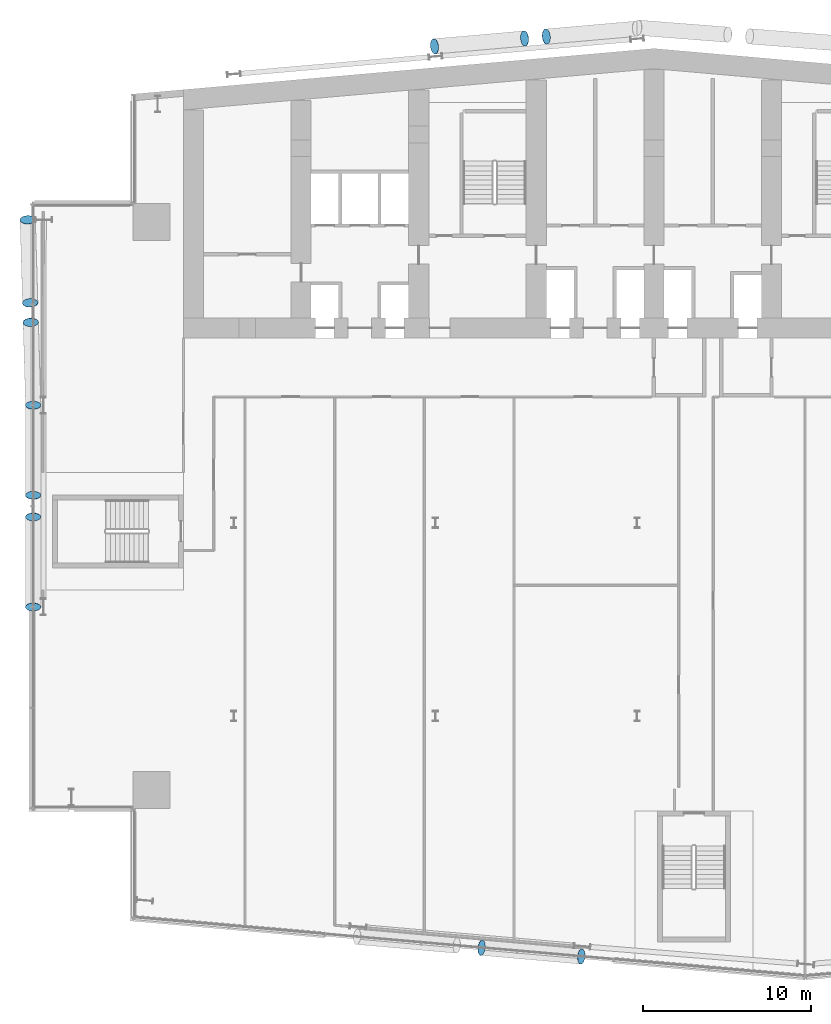
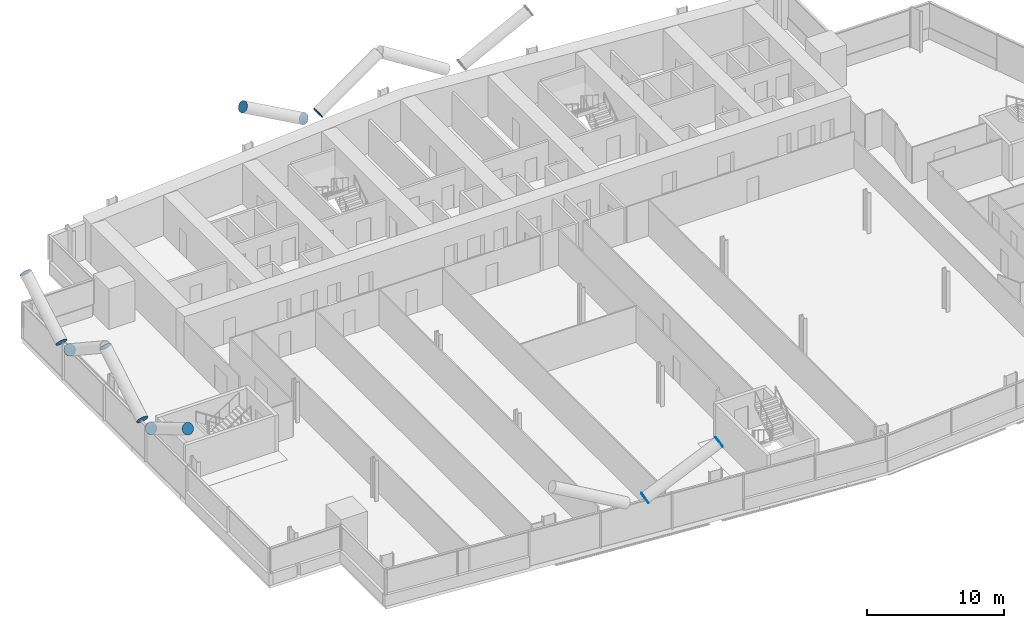
# One storey, part 19 of 25: 12 discrete accessories.
"""IFC4 building model written with IfcOpenShell, lengths in metres."""

from ifc_helpers import new_model, si_unit, direction, frame, origin, origin_2d, place, context, subcontext, project, spatial, circle, extrude, material, material_profile, profile_set, type_object, element, save


model = new_model("IFC4")

# Units and contexts
model_context = context("Model", 3, precision=1e-05, world=origin(), true_north=direction((0.0, 1.0)))
body_context = subcontext(model_context, "Body", "Model", "MODEL_VIEW")
ifc_project = project(units=[si_unit("LENGTHUNIT", "METRE"), si_unit("AREAUNIT", "SQUARE_METRE"), si_unit("VOLUMEUNIT", "CUBIC_METRE"), si_unit("PLANEANGLEUNIT", "RADIAN"), si_unit("MASSUNIT", "GRAM", prefix="KILO")], contexts=[model_context])

# Site, building, storey
site_placement = place(None, origin())
site = spatial("IfcSite", under=ifc_project, at=site_placement, CompositionType="ELEMENT")
building_placement = place(site_placement, origin())
building = spatial("IfcBuilding", under=site, at=building_placement, Name="Wharfspan Tower", CompositionType="ELEMENT")
storey_placement = place(building_placement, frame((0.0, 0.0, 70.300049)))
storey = spatial("IfcBuildingStorey", under=building, at=storey_placement, Name="L14", CompositionType="ELEMENT", Elevation=70.300049)

# Discrete accessories
ifc_material = material(Name="Steel S460NH", Category="steel")
ifc_material_profile = material_profile(ifc_material, circle(Radius=0.457031, at=origin_2d()))
ifc_profile_set = profile_set([ifc_material_profile], Name="Steel S460NH")
discrete_accessory_type = type_object("IfcDiscreteAccessoryType", Name="End plate CHS 914x40", PredefinedType="BRACKET", material=ifc_profile_set)
for number, where, z_axis, x_axis, name in (
    (1, (26.737549, -2.283936, 3.295654), (0.880146, -0.097794, 0.464521), (0.110432, 0.993888, 0.0), "End plate CHS 914x40"),
    (2, (32.671387, -2.803223, 6.5), (0.881993, -0.073499, 0.465496), (0.083046, 0.996545, -2e-06), "End plate CHS 914x40"),
):
    element("IfcDiscreteAccessory", number, at=place(storey_placement, frame(where, z_axis=z_axis, x_axis=x_axis)), inside=storey, type_object=discrete_accessory_type, Name=name, PredefinedType="BRACKET", context=body_context, shape_type="SweptSolid", body=[
        extrude(circle(Radius=0.457031, at=origin_2d()), origin(), (0.0, 0.0, 1.0), 0.01001),
    ])
discrete_accessory_1_placement = place(storey_placement, frame((0.054932, 23.358887, 3.284668), z_axis=(0.0, -0.863779, 0.503871), x_axis=(1.0, 0.0, 0.0)))
element("IfcDiscreteAccessory", 3, at=discrete_accessory_1_placement, inside=storey, type_object=discrete_accessory_type, Name="End plate CHS 914x40", PredefinedType="BRACKET", context=body_context, shape_type="SweptSolid", body=[
    extrude(circle(Radius=0.457031, at=origin_2d()), origin(), (0.0, 0.0, 1.0), 0.010254),
])
discrete_accessory_2_placement = place(storey_placement, frame((0.054932, 18.0, 6.5), z_axis=(0.0, -0.857493, 0.514496), x_axis=(1.0, 0.0, 0.0)))
element("IfcDiscreteAccessory", 4, at=discrete_accessory_2_placement, inside=storey, type_object=discrete_accessory_type, Name="End plate CHS 914x40", PredefinedType="BRACKET", context=body_context, shape_type="SweptSolid", body=[
    extrude(circle(Radius=0.457031, at=origin_2d()), origin(), (0.0, 0.0, 1.0), 0.01001),
])
discrete_accessory_3_placement = place(storey_placement, frame((0.054932, 24.641113, 3.284668), z_axis=(0.0, 0.863779, 0.503871), x_axis=(-1.0, 0.0, 0.0)))
element("IfcDiscreteAccessory", 5, at=discrete_accessory_3_placement, inside=storey, type_object=discrete_accessory_type, Name="End plate CHS 914x40", PredefinedType="BRACKET", context=body_context, shape_type="SweptSolid", body=[
    extrude(circle(Radius=0.457031, at=origin_2d()), origin(), (0.0, 0.0, 1.0), 0.010254),
])
for number, where, z_axis, x_axis, name in (
    (6, (0.054932, 30.0, 6.5), (0.0, 0.857493, 0.514496), (-1.0, 0.0, 0.0), "End plate CHS 914x40"),
    (7, (-0.092041, 34.941895, 3.275391), (0.024686, -0.839314, 0.543086), (0.999566, 0.0294, 1e-06), "End plate CHS 914x40"),
    (8, (-0.126221, 36.092285, 3.275391), (-0.024686, 0.839314, 0.543086), (-0.999566, -0.0294, 1e-06), "End plate CHS 914x40"),
    (9, (-0.273193, 41.03418, 6.5), (-0.024183, 0.846389, 0.532016), (-0.999594, -0.028561, 1e-06), "End plate CHS 914x40"),
    (10, (30.589111, 51.944092, 3.285156), (0.855186, 0.073302, 0.513112), (-0.085402, 0.996345, 1e-06), "End plate CHS 914x40"),
    (11, (29.30542, 51.831787, 3.285156), (-0.855186, -0.073302, 0.513112), (0.085402, -0.996345, 1e-06), "End plate CHS 914x40"),
    (12, (23.947266, 51.363037, 6.5), (-0.853405, -0.097532, 0.512043), (0.113547, -0.993531, 1e-06), "End plate CHS 914x40"),
):
    element("IfcDiscreteAccessory", number, at=place(storey_placement, frame(where, z_axis=z_axis, x_axis=x_axis)), inside=storey, type_object=discrete_accessory_type, Name=name, PredefinedType="BRACKET", context=body_context, shape_type="SweptSolid", body=[
        extrude(circle(Radius=0.457031, at=origin_2d()), origin(), (0.0, 0.0, 1.0), 0.01001),
    ])

save(model, "model.ifc")
